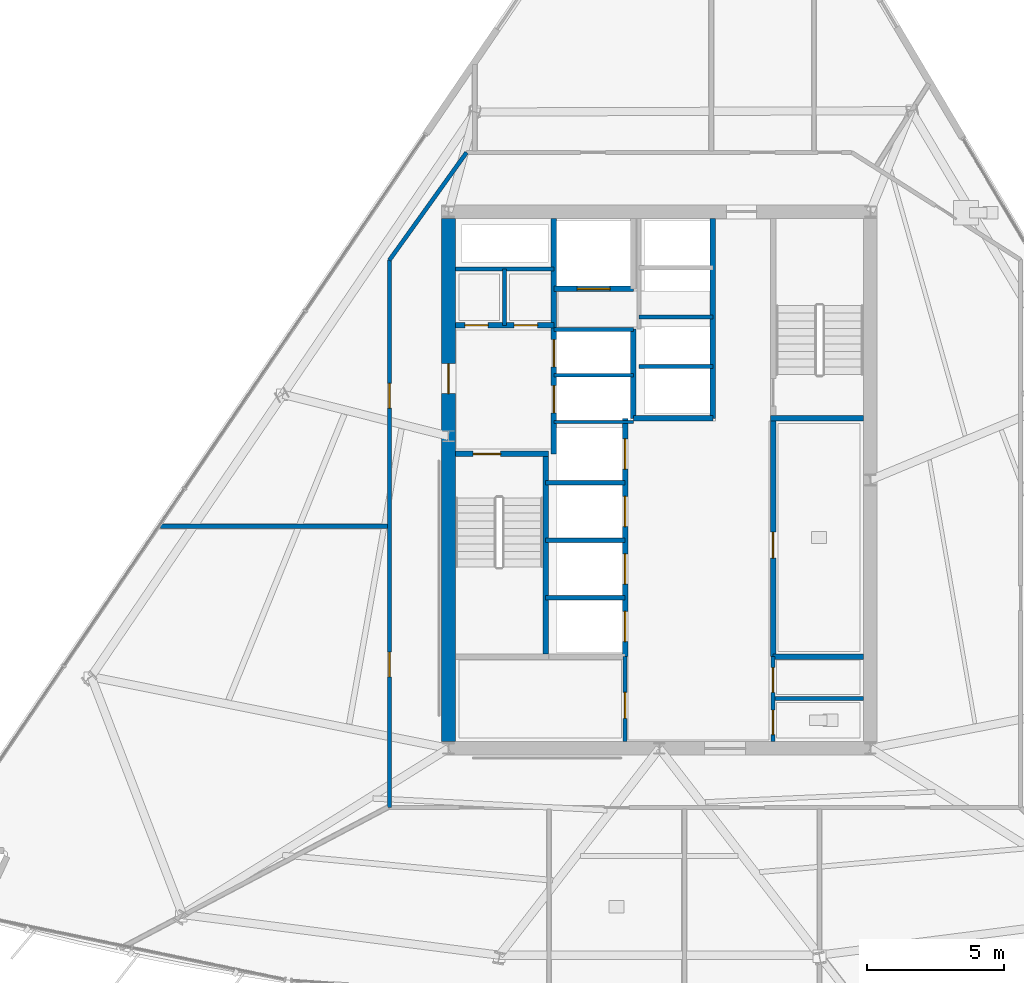
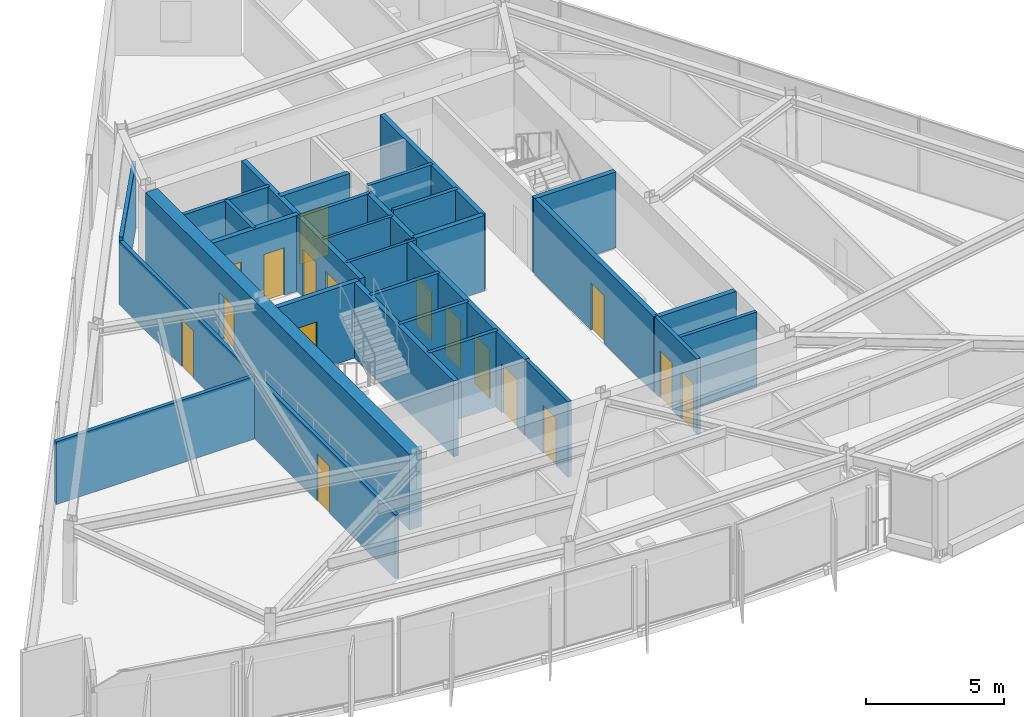
# One storey, part 7 of 12: 29 walls, 17 doors, 17 openings.
"""IFC4 building model written with IfcOpenShell, lengths in metres."""

from ifc_helpers import new_model, si_unit, direction, frame, frame_2d, origin, place, context, subcontext, project, spatial, rectangle, extrude, material, layer, layer_set, type_object, element, fill, save


model = new_model("IFC4")

# Units and contexts
model_context = context("Model", 3, precision=1e-05, world=origin(), true_north=direction((0.0, 1.0)))
body_context = subcontext(model_context, "Body", "Model", "MODEL_VIEW")
ifc_project = project(units=[si_unit("LENGTHUNIT", "METRE"), si_unit("AREAUNIT", "SQUARE_METRE"), si_unit("VOLUMEUNIT", "CUBIC_METRE"), si_unit("PLANEANGLEUNIT", "RADIAN"), si_unit("MASSUNIT", "GRAM", prefix="KILO")], contexts=[model_context])

# Site, building, storey
site_placement = place(None, origin())
site = spatial("IfcSite", under=ifc_project, at=site_placement, CompositionType="ELEMENT")
building_placement = place(site_placement, origin())
building = spatial("IfcBuilding", under=site, at=building_placement, Name="Savorim Split Tower", CompositionType="ELEMENT")
storey_placement = place(building_placement, frame((0.0, 0.0, 171.0)))
storey = spatial("IfcBuildingStorey", under=building, at=storey_placement, Name="L45", CompositionType="ELEMENT", Elevation=171.0)

# Wall, opening, door
ifc_material_1 = material(Name="Concrete C60/75", Category="concrete")
ifc_layer_1 = layer(ifc_material_1, 0.5)
ifc_layer_set_1 = layer_set([ifc_layer_1], Name="WAL-COR-SH500")
wall_type_1 = type_object("IfcWallType", Name="WAL-COR-SH500", PredefinedType="SHEAR", material=ifc_layer_set_1)
wall_1_placement = place(storey_placement, frame((-7.699951171875, -9.14990234375, 0.0), z_axis=(0.0, 0.0, 1.0), x_axis=(0.0, 1.0, 0.0)))
wall_1 = element("IfcWall", 1, at=wall_1_placement, inside=storey, type_object=wall_type_1, Name="L45 Offset Core West Shear Wall", PredefinedType="SHEAR", context=body_context, shape_type="SweptSolid", body=[
    extrude(rectangle(XDim=19.099853515625, YDim=0.5, at=frame_2d((9.5498046875, 0.0))), origin(), (0.0, 0.0, 1.0), 3.35009765625),
])
opening_1_placement = place(wall_1_placement, frame((12.699951171875, 0.0, 0.0)))
opening_1 = element("IfcOpeningElement", 2, at=opening_1_placement, cuts=wall_1, Name="Opening DI-03", PredefinedType="OPENING", context=body_context, shape_type="SweptSolid", body=[
    extrude(rectangle(XDim=1.10009765625, YDim=2.14990234375, at=frame_2d((0.550048828125, 1.074951171875))), frame((0.0, 0.260009765625, 0.0), z_axis=(0.0, -1.0, 0.0), x_axis=(1.0, 0.0, 0.0)), (0.0, 0.0, 1.0), 0.52001953125),
])
ifc_material_2 = material(Name="Timber Fire Door Leaf", Category="wood")
door_type_1 = type_object("IfcDoorType", Name="DOR-FIR-1100", OperationType="NOTDEFINED", PredefinedType="DOOR", material=ifc_material_2)
door_1_placement = place(opening_1_placement, origin())
door_1 = element("IfcDoor", 3, at=door_1_placement, inside=storey, type_object=door_type_1, Name="DOR-L45-COR-FFLOB - L45 Firefighting Lobby Corridor Door", OperationType="SINGLE_SWING_LEFT", OverallHeight=2.14990234375, OverallWidth=1.10009765625, PredefinedType="DOOR", context=body_context, shape_type="SweptSolid", body=[
    extrude(rectangle(XDim=1.10009765625, YDim=2.14990234375, at=frame_2d((0.550048828125, 1.074951171875))), frame((0.0, 0.02490234375, 0.0), z_axis=(0.0, -1.0, 0.0), x_axis=(1.0, 0.0, 0.0)), (0.0, 0.0, 1.0), 0.050048828125),
])
fill(opening_1, door_1)

ifc_material_3 = material(Name="Concrete C50/60", Category="concrete")
ifc_layer_2 = layer(ifc_material_3, 0.199951171875)
ifc_layer_set_2 = layer_set([ifc_layer_2], Name="WAL-INT-RC200")
wall_type_2 = type_object("IfcWallType", Name="WAL-INT-RC200", PredefinedType="SOLIDWALL", material=ifc_layer_set_2)
wall_2_placement = place(storey_placement, frame((-7.449951171875, 1.35009765625, 0.0), z_axis=(0.0, 0.0, 1.0), x_axis=(1.0, 0.0, 0.0)))
wall_2 = element("IfcWall", 4, at=wall_2_placement, inside=storey, type_object=wall_type_2, Name="L45 Structural Shaft Wall W-L45-CR01", PredefinedType="SOLIDWALL", context=body_context, shape_type="SweptSolid", body=[
    extrude(rectangle(XDim=3.39990234375, YDim=0.199951171875, at=frame_2d((1.699951171875, 0.0))), origin(), (0.0, 0.0, 1.0), 3.35009765625),
])
opening_2_placement = place(wall_2_placement, frame((0.64990234375, 0.0, 0.0)))
opening_2 = element("IfcOpeningElement", 5, at=opening_2_placement, cuts=wall_2, Name="Opening DI-04", PredefinedType="OPENING", context=body_context, shape_type="SweptSolid", body=[
    extrude(rectangle(XDim=1.0, YDim=2.14990234375, at=frame_2d((0.5, 1.074951171875))), frame((0.0, 0.10986328125, 0.0), z_axis=(0.0, -1.0, 0.0), x_axis=(1.0, 0.0, 0.0)), (0.0, 0.0, 1.0), 0.219970703125),
])
door_type_2 = type_object("IfcDoorType", Name="DOR-FIR-1000", OperationType="NOTDEFINED", PredefinedType="DOOR", material=ifc_material_2)
door_2_placement = place(opening_2_placement, origin())
door_2 = element("IfcDoor", 6, at=door_2_placement, inside=storey, type_object=door_type_2, Name="DR-L45-ST1 - L45 Stair ST-1 Enclosure Door", OperationType="SINGLE_SWING_LEFT", OverallHeight=2.14990234375, OverallWidth=1.0, PredefinedType="DOOR", context=body_context, shape_type="SweptSolid", body=[
    extrude(rectangle(XDim=1.0, YDim=2.14990234375, at=frame_2d((0.5, 1.074951171875))), frame((0.0, 0.02490234375, 0.0), z_axis=(0.0, -1.0, 0.0), x_axis=(1.0, 0.0, 0.0)), (0.0, 0.0, 1.0), 0.050048828125),
])
fill(opening_2, door_2)

# Wall
wall_3_placement = place(storey_placement, frame((-4.14990234375, -5.949951171875, 0.0), z_axis=(0.0, 0.0, 1.0), x_axis=(0.0, 1.0, 0.0)))
element("IfcWall", 7, at=wall_3_placement, inside=storey, type_object=wall_type_2, Name="L45 Structural Shaft Wall W-L45-CR02", PredefinedType="SOLIDWALL", context=body_context, shape_type="SweptSolid", body=[
    extrude(rectangle(XDim=7.199951171875, YDim=0.199951171875, at=frame_2d((3.60009765625, 0.0))), origin(), (0.0, 0.0, 1.0), 3.35009765625),
])

# Wall, openings, doors
wall_4_placement = place(storey_placement, frame((-3.85009765625, 1.35009765625, 0.0), z_axis=(0.0, 0.0, 1.0), x_axis=(0.0, 1.0, 0.0)))
wall_4 = element("IfcWall", 8, at=wall_4_placement, inside=storey, type_object=wall_type_2, Name="L45 Partition W-L45-CR03", PredefinedType="SOLIDWALL", context=body_context, shape_type="SweptSolid", body=[
    extrude(rectangle(XDim=8.594970703125, YDim=0.199951171875, at=frame_2d((4.29736328125, 0.0))), origin(), (0.0, 0.0, 1.0), 3.35009765625),
])
opening_3_placement = place(wall_4_placement, frame((1.5, 0.0, 0.0)))
opening_3 = element("IfcOpeningElement", 9, at=opening_3_placement, cuts=wall_4, Name="Opening LD-FFL", PredefinedType="OPENING", context=body_context, shape_type="SweptSolid", body=[
    extrude(rectangle(XDim=1.0, YDim=2.14990234375, at=frame_2d((0.5, 1.074951171875))), frame((0.0, 0.10986328125, 0.0), z_axis=(0.0, -1.0, 0.0), x_axis=(1.0, 0.0, 0.0)), (0.0, 0.0, 1.0), 0.219970703125),
])
opening_4_placement = place(wall_4_placement, frame((3.179931640625, 0.0, 0.0)))
opening_4 = element("IfcOpeningElement", 10, at=opening_4_placement, cuts=wall_4, Name="Opening LD-FFL", PredefinedType="OPENING", context=body_context, shape_type="SweptSolid", body=[
    extrude(rectangle(XDim=1.0, YDim=2.14990234375, at=frame_2d((0.5, 1.074951171875))), frame((0.0, 0.10986328125, 0.0), z_axis=(0.0, -1.0, 0.0), x_axis=(1.0, 0.0, 0.0)), (0.0, 0.0, 1.0), 0.219970703125),
])
ifc_material_4 = material(Name="Charcoal Anodised Aluminium", Category="aluminium")
door_type_3 = type_object("IfcDoorType", Name="DOR-SLD-LD1000", OperationType="NOTDEFINED", PredefinedType="DOOR", material=ifc_material_4)
door_3_placement = place(opening_3_placement, origin())
door_3 = element("IfcDoor", 11, at=door_3_placement, inside=storey, type_object=door_type_3, Name="DR-L45-LD-FFL1 - L45 Firefighting Lift FFL-1 Sliding Landing Door", OperationType="DOUBLE_DOOR_SLIDING", OverallHeight=2.14990234375, OverallWidth=1.0, PredefinedType="DOOR", context=body_context, shape_type="SweptSolid", body=[
    extrude(rectangle(XDim=1.0, YDim=2.14990234375, at=frame_2d((0.5, 1.074951171875))), frame((0.0, 0.02490234375, 0.0), z_axis=(0.0, -1.0, 0.0), x_axis=(1.0, 0.0, 0.0)), (0.0, 0.0, 1.0), 0.050048828125),
])
fill(opening_3, door_3)
door_4_placement = place(opening_4_placement, origin())
door_4 = element("IfcDoor", 12, at=door_4_placement, inside=storey, type_object=door_type_3, Name="DR-L45-LD-FFL2 - L45 Firefighting Lift FFL-2 Sliding Landing Door", OperationType="DOUBLE_DOOR_SLIDING", OverallHeight=2.14990234375, OverallWidth=1.0, PredefinedType="DOOR", context=body_context, shape_type="SweptSolid", body=[
    extrude(rectangle(XDim=1.0, YDim=2.14990234375, at=frame_2d((0.5, 1.074951171875))), frame((0.0, 0.02490234375, 0.0), z_axis=(0.0, -1.0, 0.0), x_axis=(1.0, 0.0, 0.0)), (0.0, 0.0, 1.0), 0.050048828125),
])
fill(opening_4, door_4)

wall_5_placement = place(storey_placement, frame((-7.445068359375, 6.050048828125, 0.0), z_axis=(0.0, 0.0, 1.0), x_axis=(1.0, 0.0, 0.0)))
wall_5 = element("IfcWall", 13, at=wall_5_placement, inside=storey, type_object=wall_type_2, Name="L45 Partition W-L45-CR04", PredefinedType="SOLIDWALL", context=body_context, shape_type="SweptSolid", body=[
    extrude(rectangle(XDim=3.594970703125, YDim=0.199951171875, at=frame_2d((1.79736328125, 0.0))), origin(), (0.0, 0.0, 1.0), 3.35009765625),
])
opening_5_placement = place(wall_5_placement, frame((0.344970703125, 0.0, 0.0)))
opening_5 = element("IfcOpeningElement", 14, at=opening_5_placement, cuts=wall_5, Name="Opening DI-12", PredefinedType="OPENING", context=body_context, shape_type="SweptSolid", body=[
    extrude(rectangle(XDim=0.85009765625, YDim=2.10009765625, at=frame_2d((0.425048828125, 1.050048828125))), frame((0.0, 0.10986328125, 0.0), z_axis=(0.0, -1.0, 0.0), x_axis=(1.0, 0.0, 0.0)), (0.0, 0.0, 1.0), 0.219970703125),
])
opening_6_placement = place(wall_5_placement, frame((2.14501953125, 0.0, 0.0)))
opening_6 = element("IfcOpeningElement", 15, at=opening_6_placement, cuts=wall_5, Name="Opening DI-12", PredefinedType="OPENING", context=body_context, shape_type="SweptSolid", body=[
    extrude(rectangle(XDim=0.85009765625, YDim=2.10009765625, at=frame_2d((0.425048828125, 1.050048828125))), frame((0.0, 0.10986328125, 0.0), z_axis=(0.0, -1.0, 0.0), x_axis=(1.0, 0.0, 0.0)), (0.0, 0.0, 1.0), 0.219970703125),
])
ifc_material_5 = material(Name="Galvanised Painted Steel Balustrade", Category="steel")
door_type_4 = type_object("IfcDoorType", Name="DOR-RIS-850", OperationType="NOTDEFINED", PredefinedType="DOOR", material=ifc_material_5)
door_5_placement = place(opening_5_placement, origin())
door_5 = element("IfcDoor", 16, at=door_5_placement, inside=storey, type_object=door_type_4, Name="DR-L45-ELR - L45 Electrical Riser Access Door", OperationType="SINGLE_SWING_RIGHT", OverallHeight=2.10009765625, OverallWidth=0.85009765625, PredefinedType="DOOR", context=body_context, shape_type="SweptSolid", body=[
    extrude(rectangle(XDim=0.85009765625, YDim=2.10009765625, at=frame_2d((0.425048828125, 1.050048828125))), frame((0.0, 0.02490234375, 0.0), z_axis=(0.0, -1.0, 0.0), x_axis=(1.0, 0.0, 0.0)), (0.0, 0.0, 1.0), 0.050048828125),
])
fill(opening_5, door_5)
door_6_placement = place(opening_6_placement, origin())
door_6 = element("IfcDoor", 17, at=door_6_placement, inside=storey, type_object=door_type_4, Name="DR-L45-TLR - L45 Telecom Riser Access Door", OperationType="SINGLE_SWING_LEFT", OverallHeight=2.10009765625, OverallWidth=0.85009765625, PredefinedType="DOOR", context=body_context, shape_type="SweptSolid", body=[
    extrude(rectangle(XDim=0.85009765625, YDim=2.10009765625, at=frame_2d((0.425048828125, 1.050048828125))), frame((0.0, 0.02490234375, 0.0), z_axis=(0.0, -1.0, 0.0), x_axis=(1.0, 0.0, 0.0)), (0.0, 0.0, 1.0), 0.050048828125),
])
fill(opening_6, door_6)

# Walls
wall_6_placement = place(storey_placement, frame((4.050048828125, 2.64990234375, 0.0), z_axis=(0.0, 0.0, 1.0), x_axis=(1.0, 0.0, 0.0)))
element("IfcWall", 18, at=wall_6_placement, inside=storey, type_object=wall_type_2, Name="L45 Structural Shaft Wall W-L45-CR08", PredefinedType="SOLIDWALL", context=body_context, shape_type="SweptSolid", body=[
    extrude(rectangle(XDim=3.39990234375, YDim=0.199951171875, at=frame_2d((1.699951171875, 0.0))), origin(), (0.0, 0.0, 1.0), 3.35009765625),
])
wall_7_placement = place(storey_placement, frame((-0.949951171875, 2.64990234375, 0.0), z_axis=(0.0, 0.0, 1.0), x_axis=(0.0, 1.0, 0.0)))
element("IfcWall", 19, at=wall_7_placement, inside=storey, type_object=wall_type_2, Name="L45 Partition W-L45-FFLW", PredefinedType="SOLIDWALL", context=body_context, shape_type="SweptSolid", body=[
    extrude(rectangle(XDim=3.27001953125, YDim=0.199951171875, at=frame_2d((1.635009765625, 0.0))), origin(), (0.0, 0.0, 1.0), 3.35009765625),
])

# Wall, opening, door
wall_8_placement = place(storey_placement, frame((-3.85009765625, 7.3798828125, 0.0), z_axis=(0.0, 0.0, 1.0), x_axis=(1.0, 0.0, 0.0)))
wall_8 = element("IfcWall", 20, at=wall_8_placement, inside=storey, type_object=wall_type_2, Name="L45 Partition W-L45-SVLS", PredefinedType="SOLIDWALL", context=body_context, shape_type="SweptSolid", body=[
    extrude(rectangle(XDim=2.900146484375, YDim=0.199951171875, at=frame_2d((1.4501953125, 0.0))), origin(), (0.0, 0.0, 1.0), 3.35009765625),
])
opening_7_placement = place(wall_8_placement, frame((0.85009765625, 0.0, 0.0)))
opening_7 = element("IfcOpeningElement", 21, at=opening_7_placement, cuts=wall_8, Name="Opening LD-SV", PredefinedType="OPENING", context=body_context, shape_type="SweptSolid", body=[
    extrude(rectangle(XDim=1.199951171875, YDim=2.199951171875, at=frame_2d((0.60009765625, 1.10009765625))), frame((0.0, 0.10986328125, 0.0), z_axis=(0.0, -1.0, 0.0), x_axis=(1.0, 0.0, 0.0)), (0.0, 0.0, 1.0), 0.219970703125),
])
door_type_5 = type_object("IfcDoorType", Name="DOR-SLD-SV1200", OperationType="NOTDEFINED", PredefinedType="DOOR", material=ifc_material_4)
door_7_placement = place(opening_7_placement, origin())
door_7 = element("IfcDoor", 22, at=door_7_placement, inside=storey, type_object=door_type_5, Name="DR-L45-LD-SVL1 - L45 Service Lift SVL-1 Sliding Landing Door", OperationType="DOUBLE_DOOR_SLIDING", OverallHeight=2.199951171875, OverallWidth=1.199951171875, PredefinedType="DOOR", context=body_context, shape_type="SweptSolid", body=[
    extrude(rectangle(XDim=1.199951171875, YDim=2.199951171875, at=frame_2d((0.60009765625, 1.10009765625))), frame((0.0, 0.02490234375, 0.0), z_axis=(0.0, -1.0, 0.0), x_axis=(1.0, 0.0, 0.0)), (0.0, 0.0, 1.0), 0.050048828125),
])
fill(opening_7, door_7)

wall_9_placement = place(storey_placement, frame((4.14990234375, -6.050048828125, 0.0), z_axis=(0.0, 0.0, 1.0), x_axis=(0.0, 1.0, 0.0)))
wall_9 = element("IfcWall", 23, at=wall_9_placement, inside=storey, type_object=wall_type_2, Name="L45 Partition W-L45-B1FRONT", PredefinedType="SOLIDWALL", context=body_context, shape_type="SweptSolid", body=[
    extrude(rectangle(XDim=8.699951171875, YDim=0.199951171875, at=frame_2d((4.35009765625, 0.0))), origin(), (0.0, 0.0, 1.0), 3.35009765625),
])
opening_8_placement = place(wall_9_placement, frame((3.60009765625, 0.0, 0.0)))
opening_8 = element("IfcOpeningElement", 24, at=opening_8_placement, cuts=wall_9, Name="Opening DI-05", PredefinedType="OPENING", context=body_context, shape_type="SweptSolid", body=[
    extrude(rectangle(XDim=0.949951171875, YDim=2.10009765625, at=frame_2d((0.47509765625, 1.050048828125))), frame((0.0, 0.10986328125, 0.0), z_axis=(0.0, -1.0, 0.0), x_axis=(1.0, 0.0, 0.0)), (0.0, 0.0, 1.0), 0.219970703125),
])
door_type_6 = type_object("IfcDoorType", Name="DOR-FIR-950", OperationType="NOTDEFINED", PredefinedType="DOOR", material=ifc_material_2)
door_8_placement = place(opening_8_placement, origin())
door_8 = element("IfcDoor", 25, at=door_8_placement, inside=storey, type_object=door_type_6, Name="DR-L45-LV7B1 - L45 Community Laundry Room Door", OperationType="SINGLE_SWING_RIGHT", OverallHeight=2.10009765625, OverallWidth=0.949951171875, PredefinedType="DOOR", context=body_context, shape_type="SweptSolid", body=[
    extrude(rectangle(XDim=0.949951171875, YDim=2.10009765625, at=frame_2d((0.47509765625, 1.050048828125))), frame((0.0, 0.02490234375, 0.0), z_axis=(0.0, -1.0, 0.0), x_axis=(1.0, 0.0, 0.0)), (0.0, 0.0, 1.0), 0.050048828125),
])
fill(opening_8, door_8)

# Wall, openings, doors
wall_10_placement = place(storey_placement, frame((-1.25, -6.050048828125, 0.0), z_axis=(0.0, 0.0, 1.0), x_axis=(0.0, 1.0, 0.0)))
wall_10 = element("IfcWall", 26, at=wall_10_placement, inside=storey, type_object=wall_type_2, Name="L45 Partition W-L45-B2FRONT", PredefinedType="SOLIDWALL", context=body_context, shape_type="SweptSolid", body=[
    extrude(rectangle(XDim=8.699951171875, YDim=0.199951171875, at=frame_2d((4.35009765625, 0.0))), origin(), (0.0, 0.0, 1.0), 3.35009765625),
])
opening_9_placement = place(wall_10_placement, frame((0.550048828125, 0.0, 0.0)))
opening_9 = element("IfcOpeningElement", 27, at=opening_9_placement, cuts=wall_10, Name="Opening LD-02", PredefinedType="OPENING", context=body_context, shape_type="SweptSolid", body=[
    extrude(rectangle(XDim=1.10009765625, YDim=2.14990234375, at=frame_2d((0.550048828125, 1.074951171875))), frame((0.0, 0.10986328125, 0.0), z_axis=(0.0, -1.0, 0.0), x_axis=(1.0, 0.0, 0.0)), (0.0, 0.0, 1.0), 0.219970703125),
])
opening_10_placement = place(wall_10_placement, frame((2.64990234375, 0.0, 0.0)))
opening_10 = element("IfcOpeningElement", 28, at=opening_10_placement, cuts=wall_10, Name="Opening LD-02", PredefinedType="OPENING", context=body_context, shape_type="SweptSolid", body=[
    extrude(rectangle(XDim=1.10009765625, YDim=2.14990234375, at=frame_2d((0.550048828125, 1.074951171875))), frame((0.0, 0.10986328125, 0.0), z_axis=(0.0, -1.0, 0.0), x_axis=(1.0, 0.0, 0.0)), (0.0, 0.0, 1.0), 0.219970703125),
])
opening_11_placement = place(wall_10_placement, frame((4.75, 0.0, 0.0)))
opening_11 = element("IfcOpeningElement", 29, at=opening_11_placement, cuts=wall_10, Name="Opening LD-02", PredefinedType="OPENING", context=body_context, shape_type="SweptSolid", body=[
    extrude(rectangle(XDim=1.10009765625, YDim=2.14990234375, at=frame_2d((0.550048828125, 1.074951171875))), frame((0.0, 0.10986328125, 0.0), z_axis=(0.0, -1.0, 0.0), x_axis=(1.0, 0.0, 0.0)), (0.0, 0.0, 1.0), 0.219970703125),
])
opening_12_placement = place(wall_10_placement, frame((6.85009765625, 0.0, 0.0)))
opening_12 = element("IfcOpeningElement", 30, at=opening_12_placement, cuts=wall_10, Name="Opening LD-02", PredefinedType="OPENING", context=body_context, shape_type="SweptSolid", body=[
    extrude(rectangle(XDim=1.10009765625, YDim=2.14990234375, at=frame_2d((0.550048828125, 1.074951171875))), frame((0.0, 0.10986328125, 0.0), z_axis=(0.0, -1.0, 0.0), x_axis=(1.0, 0.0, 0.0)), (0.0, 0.0, 1.0), 0.219970703125),
])
door_type_7 = type_object("IfcDoorType", Name="DOR-SLD-LDM1100", OperationType="NOTDEFINED", PredefinedType="DOOR", material=ifc_material_4)
door_9_placement = place(opening_9_placement, origin())
door_9 = element("IfcDoor", 31, at=door_9_placement, inside=storey, type_object=door_type_7, Name="DR-L45-LD-PLM1 - L45 Lift PL-M1 Sliding Landing Door", OperationType="DOUBLE_DOOR_SLIDING", OverallHeight=2.14990234375, OverallWidth=1.10009765625, PredefinedType="DOOR", context=body_context, shape_type="SweptSolid", body=[
    extrude(rectangle(XDim=1.10009765625, YDim=2.14990234375, at=frame_2d((0.550048828125, 1.074951171875))), frame((0.0, 0.02490234375, 0.0), z_axis=(0.0, -1.0, 0.0), x_axis=(1.0, 0.0, 0.0)), (0.0, 0.0, 1.0), 0.050048828125),
])
fill(opening_9, door_9)
door_10_placement = place(opening_10_placement, origin())
door_10 = element("IfcDoor", 32, at=door_10_placement, inside=storey, type_object=door_type_7, Name="DR-L45-LD-PLM2 - L45 Lift PL-M2 Sliding Landing Door", OperationType="DOUBLE_DOOR_SLIDING", OverallHeight=2.14990234375, OverallWidth=1.10009765625, PredefinedType="DOOR", context=body_context, shape_type="SweptSolid", body=[
    extrude(rectangle(XDim=1.10009765625, YDim=2.14990234375, at=frame_2d((0.550048828125, 1.074951171875))), frame((0.0, 0.02490234375, 0.0), z_axis=(0.0, -1.0, 0.0), x_axis=(1.0, 0.0, 0.0)), (0.0, 0.0, 1.0), 0.050048828125),
])
fill(opening_10, door_10)
door_11_placement = place(opening_11_placement, origin())
door_11 = element("IfcDoor", 33, at=door_11_placement, inside=storey, type_object=door_type_7, Name="DR-L45-LD-PLM3 - L45 Lift PL-M3 Sliding Landing Door", OperationType="DOUBLE_DOOR_SLIDING", OverallHeight=2.14990234375, OverallWidth=1.10009765625, PredefinedType="DOOR", context=body_context, shape_type="SweptSolid", body=[
    extrude(rectangle(XDim=1.10009765625, YDim=2.14990234375, at=frame_2d((0.550048828125, 1.074951171875))), frame((0.0, 0.02490234375, 0.0), z_axis=(0.0, -1.0, 0.0), x_axis=(1.0, 0.0, 0.0)), (0.0, 0.0, 1.0), 0.050048828125),
])
fill(opening_11, door_11)
door_12_placement = place(opening_12_placement, origin())
door_12 = element("IfcDoor", 34, at=door_12_placement, inside=storey, type_object=door_type_7, Name="DR-L45-LD-PLM4 - L45 Lift PL-M4 Sliding Landing Door", OperationType="DOUBLE_DOOR_SLIDING", OverallHeight=2.14990234375, OverallWidth=1.10009765625, PredefinedType="DOOR", context=body_context, shape_type="SweptSolid", body=[
    extrude(rectangle(XDim=1.10009765625, YDim=2.14990234375, at=frame_2d((0.550048828125, 1.074951171875))), frame((0.0, 0.02490234375, 0.0), z_axis=(0.0, -1.0, 0.0), x_axis=(1.0, 0.0, 0.0)), (0.0, 0.0, 1.0), 0.050048828125),
])
fill(opening_12, door_12)

# Walls
wall_11_placement = place(storey_placement, frame((1.949951171875, 2.64990234375, 0.0), z_axis=(0.0, 0.0, 1.0), x_axis=(0.0, 1.0, 0.0)))
element("IfcWall", 35, at=wall_11_placement, inside=storey, type_object=wall_type_2, Name="L45 Partition W-L45-B3FRONT", PredefinedType="SOLIDWALL", context=body_context, shape_type="SweptSolid", body=[
    extrude(rectangle(XDim=7.295166015625, YDim=0.199951171875, at=frame_2d((3.6474609375, 0.0))), origin(), (0.0, 0.0, 1.0), 3.35009765625),
])
wall_12_placement = place(storey_placement, frame((-0.949951171875, 2.64990234375, 0.0), z_axis=(0.0, 0.0, 1.0), x_axis=(1.0, 0.0, 0.0)))
element("IfcWall", 36, at=wall_12_placement, inside=storey, type_object=wall_type_2, Name="L45 Partition W-L45-B3SOUTH", PredefinedType="SOLIDWALL", context=body_context, shape_type="SweptSolid", body=[
    extrude(rectangle(XDim=2.89990234375, YDim=0.199951171875, at=frame_2d((1.449951171875, 0.0))), origin(), (0.0, 0.0, 1.0), 3.35009765625),
])
wall_13_placement = place(storey_placement, frame((4.14990234375, -6.050048828125, 0.0), z_axis=(0.0, 0.0, 1.0), x_axis=(1.0, 0.0, 0.0)))
element("IfcWall", 37, at=wall_13_placement, inside=storey, type_object=wall_type_2, Name="L45 Partition W-L45-KSEP-E", PredefinedType="SOLIDWALL", context=body_context, shape_type="SweptSolid", body=[
    extrude(rectangle(XDim=3.295166015625, YDim=0.199951171875, at=frame_2d((1.6474609375, 0.0))), origin(), (0.0, 0.0, 1.0), 3.35009765625),
])
ifc_material_6 = material(Name="Acoustic Gypsum Partition Board")
ifc_layer_3 = layer(ifc_material_6, 0.1201171875)
ifc_layer_set_3 = layer_set([ifc_layer_3], Name="WAL-PAR-120")
wall_type_3 = type_object("IfcWallType", Name="WAL-PAR-120", PredefinedType="PARTITIONING", material=ifc_layer_set_3)
for number, where, z_axis, x_axis, name in (
    (38, (-3.85009765625, 2.52001953125, 0.0), (0.0, 0.0, 1.0), (1.0, 0.0, 0.0), "L45 Partition W-L45-FFLD0"),
    (39, (-3.85009765625, 4.219970703125, 0.0), (0.0, 0.0, 1.0), (1.0, 0.0, 0.0), "L45 Partition W-L45-FFLD1"),
):
    element("IfcWall", number, at=place(storey_placement, frame(where, z_axis=z_axis, x_axis=x_axis)), inside=storey, type_object=wall_type_3, Name=name, PredefinedType="PARTITIONING", context=body_context, shape_type="SweptSolid", body=[
        extrude(rectangle(XDim=2.900146484375, YDim=0.1201171875, at=frame_2d((1.4501953125, 0.0))), origin(), (0.0, 0.0, 1.0), 3.35009765625),
    ])
ifc_layer_4 = layer(ifc_material_6, 0.14990234375)
ifc_layer_set_4 = layer_set([ifc_layer_4], Name="WAL-PAR-150")
wall_type_4 = type_object("IfcWallType", Name="WAL-PAR-150", PredefinedType="PARTITIONING", material=ifc_layer_set_4)
wall_14_placement = place(storey_placement, frame((-7.445068359375, 8.10009765625, 0.0), z_axis=(0.0, 0.0, 1.0), x_axis=(1.0, 0.0, 0.0)))
element("IfcWall", 40, at=wall_14_placement, inside=storey, type_object=wall_type_4, Name="L45 Partition W-L45-CR05", PredefinedType="PARTITIONING", context=body_context, shape_type="SweptSolid", body=[
    extrude(rectangle(XDim=3.594970703125, YDim=0.14990234375, at=frame_2d((1.79736328125, 0.0))), origin(), (0.0, 0.0, 1.0), 3.35009765625),
])
wall_15_placement = place(storey_placement, frame((-5.64990234375, 6.050048828125, 0.0), z_axis=(0.0, 0.0, 1.0), x_axis=(0.0, 1.0, 0.0)))
element("IfcWall", 41, at=wall_15_placement, inside=storey, type_object=wall_type_4, Name="L45 Partition W-L45-CR06", PredefinedType="PARTITIONING", context=body_context, shape_type="SweptSolid", body=[
    extrude(rectangle(XDim=2.050048828125, YDim=0.14990234375, at=frame_2d((1.02490234375, 0.0))), origin(), (0.0, 0.0, 1.0), 3.35009765625),
])
wall_16_placement = place(storey_placement, frame((-3.85009765625, 5.89990234375, 0.0), z_axis=(0.0, 0.0, 1.0), x_axis=(1.0, 0.0, 0.0)))
element("IfcWall", 42, at=wall_16_placement, inside=storey, type_object=wall_type_4, Name="L45 Partition W-L45-FFLD2", PredefinedType="PARTITIONING", context=body_context, shape_type="SweptSolid", body=[
    extrude(rectangle(XDim=2.900146484375, YDim=0.14990234375, at=frame_2d((1.4501953125, 0.0))), origin(), (0.0, 0.0, 1.0), 3.35009765625),
])
for number, where, z_axis, x_axis, name in (
    (43, (-4.14990234375, -3.89990234375, 0.0), (0.0, 0.0, 1.0), (1.0, 0.0, 0.0), "L45 Partition W-L45-B2DIV1"),
    (44, (-4.14990234375, -1.800048828125, 0.0), (0.0, 0.0, 1.0), (1.0, 0.0, 0.0), "L45 Partition W-L45-B2DIV2"),
    (45, (-4.14990234375, 0.300048828125, 0.0), (0.0, 0.0, 1.0), (1.0, 0.0, 0.0), "L45 Partition W-L45-B2DIV3"),
):
    element("IfcWall", number, at=place(storey_placement, frame(where, z_axis=z_axis, x_axis=x_axis)), inside=storey, type_object=wall_type_4, Name=name, PredefinedType="PARTITIONING", context=body_context, shape_type="SweptSolid", body=[
        extrude(rectangle(XDim=2.89990234375, YDim=0.14990234375, at=frame_2d((1.449951171875, 0.0))), origin(), (0.0, 0.0, 1.0), 3.35009765625),
    ])
for number, where, z_axis, x_axis, name in (
    (46, (-0.75, 4.550048828125, 0.0), (0.0, 0.0, 1.0), (1.0, 0.0, 0.0), "L45 Partition W-L45-B3DIV1"),
    (47, (-0.75, 6.35009765625, 0.0), (0.0, 0.0, 1.0), (1.0, 0.0, 0.0), "L45 Partition W-L45-B3DIV2"),
):
    element("IfcWall", number, at=place(storey_placement, frame(where, z_axis=z_axis, x_axis=x_axis)), inside=storey, type_object=wall_type_4, Name=name, PredefinedType="PARTITIONING", context=body_context, shape_type="SweptSolid", body=[
        extrude(rectangle(XDim=2.699951171875, YDim=0.14990234375, at=frame_2d((1.35009765625, 0.0))), origin(), (0.0, 0.0, 1.0), 3.35009765625),
    ])

# Wall, opening, door
wall_17_placement = place(storey_placement, frame((-1.25, -9.14501953125, 0.0), z_axis=(0.0, 0.0, 1.0), x_axis=(0.0, 1.0, 0.0)))
wall_17 = element("IfcWall", 48, at=wall_17_placement, inside=storey, type_object=wall_type_4, Name="L45 Partition W-L45-KLOB-W", PredefinedType="PARTITIONING", context=body_context, shape_type="SweptSolid", body=[
    extrude(rectangle(XDim=3.094970703125, YDim=0.14990234375, at=frame_2d((1.54736328125, 0.0))), origin(), (0.0, 0.0, 1.0), 3.35009765625),
])
opening_13_placement = place(wall_17_placement, frame((0.844970703125, 0.0, 0.0)))
opening_13 = element("IfcOpeningElement", 49, at=opening_13_placement, cuts=wall_17, Name="Opening DI-05", PredefinedType="OPENING", context=body_context, shape_type="SweptSolid", body=[
    extrude(rectangle(XDim=0.949951171875, YDim=2.10009765625, at=frame_2d((0.47509765625, 1.050048828125))), frame((0.0, 0.0849609375, 0.0), z_axis=(0.0, -1.0, 0.0), x_axis=(1.0, 0.0, 0.0)), (0.0, 0.0, 1.0), 0.169921875),
])
door_13_placement = place(opening_13_placement, origin())
door_13 = element("IfcDoor", 50, at=door_13_placement, inside=storey, type_object=door_type_6, Name="DR-L45-K3LIN - L45 Housekeeping Store Door", OperationType="SINGLE_SWING_LEFT", OverallHeight=2.10009765625, OverallWidth=0.949951171875, PredefinedType="DOOR", context=body_context, shape_type="SweptSolid", body=[
    extrude(rectangle(XDim=0.949951171875, YDim=2.10009765625, at=frame_2d((0.47509765625, 1.050048828125))), frame((0.0, 0.02490234375, 0.0), z_axis=(0.0, -1.0, 0.0), x_axis=(1.0, 0.0, 0.0)), (0.0, 0.0, 1.0), 0.050048828125),
])
fill(opening_13, door_13)

# Wall, openings, doors
wall_18_placement = place(storey_placement, frame((4.14990234375, -9.14501953125, 0.0), z_axis=(0.0, 0.0, 1.0), x_axis=(0.0, 1.0, 0.0)))
wall_18 = element("IfcWall", 51, at=wall_18_placement, inside=storey, type_object=wall_type_4, Name="L45 Partition W-L45-KLOB-E", PredefinedType="PARTITIONING", context=body_context, shape_type="SweptSolid", body=[
    extrude(rectangle(XDim=3.094970703125, YDim=0.14990234375, at=frame_2d((1.54736328125, 0.0))), origin(), (0.0, 0.0, 1.0), 3.35009765625),
])
opening_14_placement = place(wall_18_placement, frame((0.2451171875, 0.0, 0.0)))
opening_14 = element("IfcOpeningElement", 52, at=opening_14_placement, cuts=wall_18, Name="Opening DI-11", PredefinedType="OPENING", context=body_context, shape_type="SweptSolid", body=[
    extrude(rectangle(XDim=0.89990234375, YDim=2.10009765625, at=frame_2d((0.449951171875, 1.050048828125))), frame((0.0, 0.0849609375, 0.0), z_axis=(0.0, -1.0, 0.0), x_axis=(1.0, 0.0, 0.0)), (0.0, 0.0, 1.0), 0.169921875),
])
opening_15_placement = place(wall_18_placement, frame((1.794921875, 0.0, 0.0)))
opening_15 = element("IfcOpeningElement", 53, at=opening_15_placement, cuts=wall_18, Name="Opening DI-06", PredefinedType="OPENING", context=body_context, shape_type="SweptSolid", body=[
    extrude(rectangle(XDim=0.89990234375, YDim=2.10009765625, at=frame_2d((0.449951171875, 1.050048828125))), frame((0.0, 0.0849609375, 0.0), z_axis=(0.0, -1.0, 0.0), x_axis=(1.0, 0.0, 0.0)), (0.0, 0.0, 1.0), 0.169921875),
])
door_type_8 = type_object("IfcDoorType", Name="DOR-FIR-900", OperationType="NOTDEFINED", PredefinedType="DOOR", material=ifc_material_2)
door_14_placement = place(opening_15_placement, origin())
door_14 = element("IfcDoor", 54, at=door_14_placement, inside=storey, type_object=door_type_8, Name="DR-L45-K3LCK - L45 Cleaning Store Door", OperationType="SINGLE_SWING_LEFT", OverallHeight=2.10009765625, OverallWidth=0.89990234375, PredefinedType="DOOR", context=body_context, shape_type="SweptSolid", body=[
    extrude(rectangle(XDim=0.89990234375, YDim=2.10009765625, at=frame_2d((0.449951171875, 1.050048828125))), frame((0.0, 0.02490234375, 0.0), z_axis=(0.0, -1.0, 0.0), x_axis=(1.0, 0.0, 0.0)), (0.0, 0.0, 1.0), 0.050048828125),
])
fill(opening_15, door_14)
ifc_material_7 = material(Name="Oak Veneer Acoustic Door")
door_type_9 = type_object("IfcDoorType", Name="DOR-WC-900", OperationType="NOTDEFINED", PredefinedType="DOOR", material=ifc_material_7)
door_15_placement = place(opening_14_placement, origin())
door_15 = element("IfcDoor", 55, at=door_15_placement, inside=storey, type_object=door_type_9, Name="DR-L45-K3AWC - L45 Core Accessible WC Door", OperationType="SINGLE_SWING_RIGHT", OverallHeight=2.10009765625, OverallWidth=0.89990234375, PredefinedType="DOOR", context=body_context, shape_type="SweptSolid", body=[
    extrude(rectangle(XDim=0.89990234375, YDim=2.10009765625, at=frame_2d((0.449951171875, 1.050048828125))), frame((0.0, 0.02490234375, 0.0), z_axis=(0.0, -1.0, 0.0), x_axis=(1.0, 0.0, 0.0)), (0.0, 0.0, 1.0), 0.050048828125),
])
fill(opening_14, door_15)

# Wall
wall_19_placement = place(storey_placement, frame((4.14990234375, -7.580078125, 0.0), z_axis=(0.0, 0.0, 1.0), x_axis=(1.0, 0.0, 0.0)))
element("IfcWall", 56, at=wall_19_placement, inside=storey, type_object=wall_type_4, Name="L45 Partition W-L45-K3H", PredefinedType="PARTITIONING", context=body_context, shape_type="SweptSolid", body=[
    extrude(rectangle(XDim=3.295166015625, YDim=0.14990234375, at=frame_2d((1.6474609375, 0.0))), origin(), (0.0, 0.0, 1.0), 3.35009765625),
])

# Wall, openings, doors
wall_20_placement = place(storey_placement, frame((-9.860107421875, -11.56005859375, 0.0), z_axis=(0.0, 0.0, 1.0), x_axis=(0.0, 1.0, 0.0)))
wall_20 = element("IfcWall", 57, at=wall_20_placement, inside=storey, type_object=wall_type_4, Name="L45 Partition W-L45-COR-01", PredefinedType="PARTITIONING", context=body_context, shape_type="SweptSolid", body=[
    extrude(rectangle(XDim=19.98583984375, YDim=0.14990234375, at=frame_2d((9.992919921875, 0.0))), origin(), (0.0, 0.0, 1.0), 2.824951171875),
])
opening_16_placement = place(wall_20_placement, frame((4.7744140625, 0.0, 0.0)))
opening_16 = element("IfcOpeningElement", 58, at=opening_16_placement, cuts=wall_20, Name="Opening DI-06", PredefinedType="OPENING", context=body_context, shape_type="SweptSolid", body=[
    extrude(rectangle(XDim=0.89990234375, YDim=2.10009765625, at=frame_2d((0.449951171875, 1.050048828125))), frame((0.0, 0.0849609375, 0.0), z_axis=(0.0, -1.0, 0.0), x_axis=(1.0, 0.0, 0.0)), (0.0, 0.0, 1.0), 0.169921875),
])
opening_17_placement = place(wall_20_placement, frame((14.5888671875, 0.0, 0.0)))
opening_17 = element("IfcOpeningElement", 59, at=opening_17_placement, cuts=wall_20, Name="Opening DI-06", PredefinedType="OPENING", context=body_context, shape_type="SweptSolid", body=[
    extrude(rectangle(XDim=0.89990234375, YDim=2.10009765625, at=frame_2d((0.449951171875, 1.050048828125))), frame((0.0, 0.0849609375, 0.0), z_axis=(0.0, -1.0, 0.0), x_axis=(1.0, 0.0, 0.0)), (0.0, 0.0, 1.0), 0.169921875),
])
door_16_placement = place(opening_16_placement, origin())
door_16 = element("IfcDoor", 60, at=door_16_placement, inside=storey, type_object=door_type_8, Name="DR-L45-RM01 - L45 Maker Workshop Entry Door", OperationType="SINGLE_SWING_RIGHT", OverallHeight=2.10009765625, OverallWidth=0.89990234375, PredefinedType="DOOR", context=body_context, shape_type="SweptSolid", body=[
    extrude(rectangle(XDim=0.89990234375, YDim=2.10009765625, at=frame_2d((0.449951171875, 1.050048828125))), frame((0.0, 0.02490234375, 0.0), z_axis=(0.0, -1.0, 0.0), x_axis=(1.0, 0.0, 0.0)), (0.0, 0.0, 1.0), 0.050048828125),
])
fill(opening_16, door_16)
door_17_placement = place(opening_17_placement, origin())
door_17 = element("IfcDoor", 61, at=door_17_placement, inside=storey, type_object=door_type_8, Name="DR-L45-RM11 - L45 Co-Working Commons Entry Door", OperationType="SINGLE_SWING_RIGHT", OverallHeight=2.10009765625, OverallWidth=0.89990234375, PredefinedType="DOOR", context=body_context, shape_type="SweptSolid", body=[
    extrude(rectangle(XDim=0.89990234375, YDim=2.10009765625, at=frame_2d((0.449951171875, 1.050048828125))), frame((0.0, 0.02490234375, 0.0), z_axis=(0.0, -1.0, 0.0), x_axis=(1.0, 0.0, 0.0)), (0.0, 0.0, 1.0), 0.050048828125),
])
fill(opening_17, door_17)

# Walls
wall_21_placement = place(storey_placement, frame((-9.860107421875, 8.42578125, 0.0), z_axis=(0.0, 0.0, 1.0), x_axis=(0.582449511476, 0.812866881218, 0.0)))
element("IfcWall", 62, at=wall_21_placement, inside=storey, type_object=wall_type_4, Name="L45 Partition W-L45-COR-02", PredefinedType="PARTITIONING", context=body_context, shape_type="SweptSolid", body=[
    extrude(rectangle(XDim=4.840087890625, YDim=0.14990234375, at=frame_2d((2.419921875, 0.0))), origin(), (0.0, 0.0, 1.0), 2.965087890625),
])
wall_22_placement = place(storey_placement, frame((-9.919921875, -1.28955078125, 0.0), z_axis=(0.0, 0.0, 1.0), x_axis=(-1.0, 0.0, 0.0)))
element("IfcWall", 63, at=wall_22_placement, inside=storey, type_object=wall_type_4, Name="L45 Partition W-L45-SUB02", PredefinedType="PARTITIONING", context=body_context, shape_type="SweptSolid", body=[
    extrude(rectangle(XDim=8.2939453125, YDim=0.14990234375, at=frame_2d((4.14697265625, 0.0))), origin(), (0.0, 0.0, 1.0), 2.77490234375),
])

save(model, "model.ifc")
